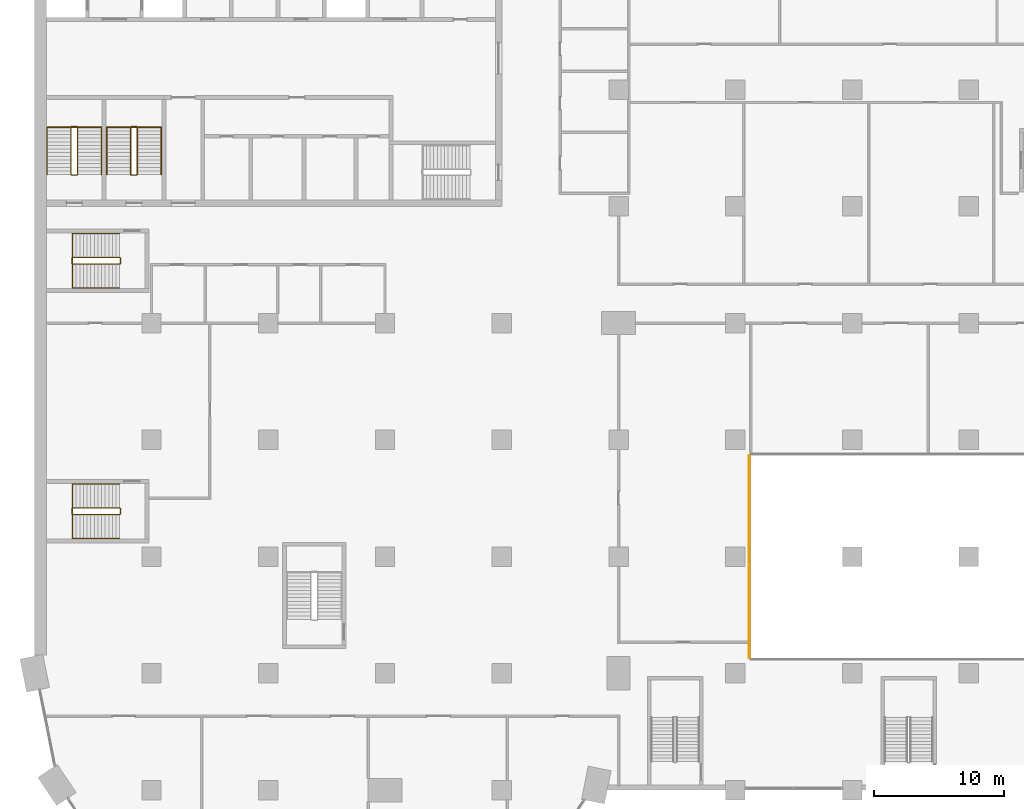
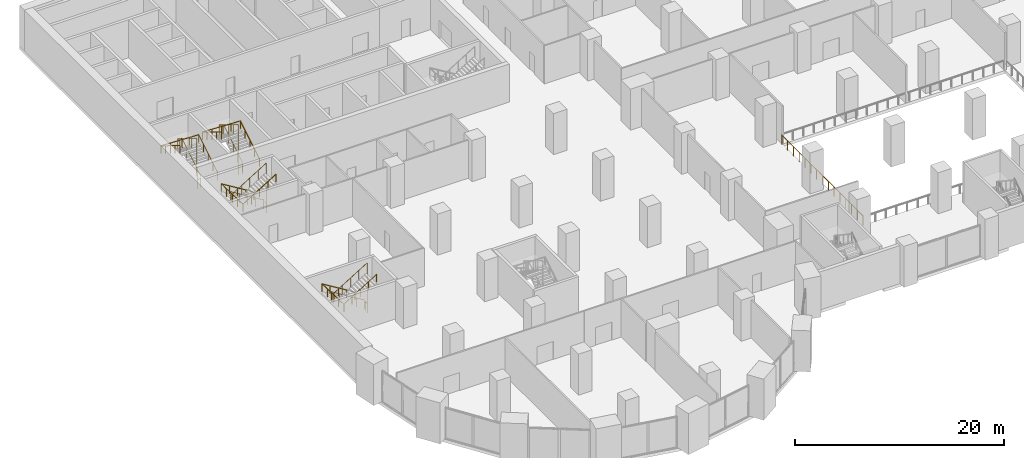
# One storey, part 44 of 49: 9 railings.
"""IFC4 building model written with IfcOpenShell, lengths in metres."""

from ifc_helpers import new_model, si_unit, direction, frame, origin, origin_2d, place, context, subcontext, project, spatial, circle, extrude, material, type_object, element, save


model = new_model("IFC4")

# Units and contexts
model_context = context("Model", 3, precision=1e-05, world=origin(), true_north=direction((0.0, 1.0)))
body_context = subcontext(model_context, "Body", "Model", "MODEL_VIEW")
ifc_project = project(units=[si_unit("LENGTHUNIT", "METRE"), si_unit("AREAUNIT", "SQUARE_METRE"), si_unit("VOLUMEUNIT", "CUBIC_METRE"), si_unit("PLANEANGLEUNIT", "RADIAN"), si_unit("MASSUNIT", "GRAM", prefix="KILO")], contexts=[model_context])

# Site, building, storey
site_placement = place(None, origin())
site = spatial("IfcSite", under=ifc_project, at=site_placement, CompositionType="ELEMENT")
building_placement = place(site_placement, origin())
building = spatial("IfcBuilding", under=site, at=building_placement, Name="Hunhe Ridgeline Campus", CompositionType="ELEMENT")
storey_placement = place(building_placement, frame((0.0, 0.0, 21.60009765625)))
storey = spatial("IfcBuildingStorey", under=building, at=storey_placement, Name="L04", CompositionType="ELEMENT", Elevation=21.60009765625)

# Railings
ifc_material_1 = material(Name="Glass and steel", Category="steel")
railing_type_1 = type_object("IfcRailingType", Name="Atrium glass guard 1100", PredefinedType="GUARDRAIL", material=ifc_material_1)
railing_1_placement = place(storey_placement, frame((55.080078125, 43.800048828125, 0.0)))
element("IfcRailing", 1, at=railing_1_placement, inside=storey, type_object=railing_type_1, Name="L04 atrium guard", PredefinedType="GUARDRAIL", context=body_context, shape_type="SweptSolid", body=[
    extrude(circle(Radius=0.02392578125, at=origin_2d()), frame((0.0, 0.0, 1.076171875), z_axis=(0.0, -1.0, 0.0), x_axis=(1.0, 0.0, 0.0)), (0.0, 0.0, 1.0), 15.60009765625),
    extrude(circle(Radius=0.02099609375, at=origin_2d()), origin(), (0.0, 0.0, 1.0), 1.052001953125),
    extrude(circle(Radius=0.02099609375, at=origin_2d()), frame((0.0, -1.1142578125, 0.0)), (0.0, 0.0, 1.0), 1.052001953125),
    extrude(circle(Radius=0.02099609375, at=origin_2d()), frame((0.0, -2.228515625, 0.0)), (0.0, 0.0, 1.0), 1.052001953125),
    extrude(circle(Radius=0.02099609375, at=origin_2d()), frame((0.0, -3.3427734375, 0.0)), (0.0, 0.0, 1.0), 1.052001953125),
    extrude(circle(Radius=0.02099609375, at=origin_2d()), frame((0.0, -4.457275390625, 0.0)), (0.0, 0.0, 1.0), 1.052001953125),
    extrude(circle(Radius=0.02099609375, at=origin_2d()), frame((0.0, -5.571533203125, 0.0)), (0.0, 0.0, 1.0), 1.052001953125),
    extrude(circle(Radius=0.02099609375, at=origin_2d()), frame((0.0, -6.685791015625, 0.0)), (0.0, 0.0, 1.0), 1.052001953125),
    extrude(circle(Radius=0.02099609375, at=origin_2d()), frame((0.0, -7.800048828125, 0.0)), (0.0, 0.0, 1.0), 1.052001953125),
    extrude(circle(Radius=0.02099609375, at=origin_2d()), frame((0.0, -8.914306640625, 0.0)), (0.0, 0.0, 1.0), 1.052001953125),
    extrude(circle(Radius=0.02099609375, at=origin_2d()), frame((0.0, -10.028564453125, 0.0)), (0.0, 0.0, 1.0), 1.052001953125),
    extrude(circle(Radius=0.02099609375, at=origin_2d()), frame((0.0, -11.142822265625, 0.0)), (0.0, 0.0, 1.0), 1.052001953125),
    extrude(circle(Radius=0.02099609375, at=origin_2d()), frame((0.0, -12.25732421875, 0.0)), (0.0, 0.0, 1.0), 1.052001953125),
    extrude(circle(Radius=0.02099609375, at=origin_2d()), frame((0.0, -13.37158203125, 0.0)), (0.0, 0.0, 1.0), 1.052001953125),
    extrude(circle(Radius=0.02099609375, at=origin_2d()), frame((0.0, -14.48583984375, 0.0)), (0.0, 0.0, 1.0), 1.052001953125),
    extrude(circle(Radius=0.02099609375, at=origin_2d()), frame((0.0, -15.60009765625, 0.0)), (0.0, 0.0, 1.0), 1.052001953125),
])
ifc_material_2 = material(Name="Stainless steel balustrade", Category="steel")
railing_type_2 = type_object("IfcRailingType", Name="Stair guard 1100 stainless", PredefinedType="GUARDRAIL", material=ifc_material_2)
railing_2_placement = place(storey_placement, frame((3.300048828125, 65.449951171875, 0.17138671875)))
element("IfcRailing", 2, at=railing_2_placement, inside=storey, type_object=railing_type_2, Name="L04 stair S3 guard", PredefinedType="GUARDRAIL", context=body_context, shape_type="SweptSolid", body=[
    extrude(circle(Radius=0.02392578125, at=origin_2d()), frame((0.0, 0.0, 1.076171875), z_axis=(0.0, 0.852865859571, 0.52213008492), x_axis=(-1.0, 0.0, 0.0)), (0.0, 0.0, 1.0), 4.26806640625),
    extrude(circle(Radius=0.02392578125, at=origin_2d()), frame((0.0, 3.64013671875, 3.3046875), z_axis=(-0.708833529934, 0.705375805398, 0.0), x_axis=(-0.705375805398, -0.708833529934, 0.0)), (0.0, 0.0, 1.0), 0.070556640625),
    extrude(circle(Radius=0.02392578125, at=origin_2d()), frame((-0.050048828125, 3.68994140625, 3.3046875), z_axis=(-1.0, 0.0, 0.0), x_axis=(0.0, -1.0, 0.0)), (0.0, 0.0, 1.0), 0.39990234375),
    extrude(circle(Radius=0.02392578125, at=origin_2d()), frame((-0.449951171875, 3.68994140625, 3.3046875), z_axis=(-0.270006937388, -0.268689830376, 0.924609122178), x_axis=(0.705375805398, -0.708833529934, 0.0)), (0.0, 0.0, 1.0), 0.185302734375),
    extrude(circle(Radius=0.02392578125, at=origin_2d()), frame((-0.5, 3.64013671875, 3.47607421875), z_axis=(0.0, -0.852865859571, 0.52213008492), x_axis=(1.0, 0.0, 0.0)), (0.0, 0.0, 1.0), 4.26806640625),
    extrude(circle(Radius=0.02392578125, at=origin_2d()), frame((-0.5, 0.0, 5.70458984375), z_axis=(0.01042612993, -0.01042612993, -0.999891289906), x_axis=(0.707106781187, 0.707106781187, 0.0)), (0.0, 0.0, 1.0), 4.80029296875),
    extrude(circle(Radius=0.02392578125, at=origin_2d()), frame((-0.449951171875, -0.050048828125, 0.90478515625), z_axis=(1.0, 0.0, 0.0), x_axis=(0.0, 1.0, 0.0)), (0.0, 0.0, 1.0), 0.39990234375),
    extrude(circle(Radius=0.02099609375, at=origin_2d()), origin(), (0.0, 0.0, 1.0), 1.052001953125),
    extrude(circle(Radius=0.02099609375, at=origin_2d()), frame((0.0, 0.91015625, 0.55712890625)), (0.0, 0.0, 1.0), 1.052001953125),
    extrude(circle(Radius=0.02099609375, at=origin_2d()), frame((0.0, 1.820068359375, 1.1142578125)), (0.0, 0.0, 1.0), 1.052001953125),
    extrude(circle(Radius=0.02099609375, at=origin_2d()), frame((0.0, 2.72998046875, 1.67138671875)), (0.0, 0.0, 1.0), 1.052001953125),
    extrude(circle(Radius=0.02099609375, at=origin_2d()), frame((0.0, 3.64013671875, 2.228515625)), (0.0, 0.0, 1.0), 1.052001953125),
    extrude(circle(Radius=0.02099609375, at=origin_2d()), frame((-0.050048828125, 3.68994140625, 2.228515625)), (0.0, 0.0, 1.0), 1.052001953125),
    extrude(circle(Radius=0.02099609375, at=origin_2d()), frame((-0.449951171875, 3.68994140625, 2.228515625)), (0.0, 0.0, 1.0), 1.052001953125),
    extrude(circle(Radius=0.02099609375, at=origin_2d()), frame((-0.5, 3.64013671875, 2.39990234375)), (0.0, 0.0, 1.0), 1.052001953125),
    extrude(circle(Radius=0.02099609375, at=origin_2d()), frame((-0.5, 2.72998046875, 2.95703125)), (0.0, 0.0, 1.0), 1.052001953125),
    extrude(circle(Radius=0.02099609375, at=origin_2d()), frame((-0.5, 1.820068359375, 3.51416015625)), (0.0, 0.0, 1.0), 1.052001953125),
    extrude(circle(Radius=0.02099609375, at=origin_2d()), frame((-0.5, 0.91015625, 4.0712890625)), (0.0, 0.0, 1.0), 1.052001953125),
    extrude(circle(Radius=0.02099609375, at=origin_2d()), frame((-0.5, 0.0, 4.62841796875)), (0.0, 0.0, 1.0), 1.052001953125),
    extrude(circle(Radius=0.02099609375, at=origin_2d()), frame((-0.489990234375, -0.010009765625, 3.66845703125)), (0.0, 0.0, 1.0), 1.052001953125),
    extrude(circle(Radius=0.02099609375, at=origin_2d()), frame((-0.47998046875, -0.02001953125, 2.70849609375)), (0.0, 0.0, 1.0), 1.052001953125),
    extrude(circle(Radius=0.02099609375, at=origin_2d()), frame((-0.469970703125, -0.030029296875, 1.74853515625)), (0.0, 0.0, 1.0), 1.052001953125),
    extrude(circle(Radius=0.02099609375, at=origin_2d()), frame((-0.4599609375, -0.0400390625, 0.78857421875)), (0.0, 0.0, 1.0), 1.052001953125),
    extrude(circle(Radius=0.02099609375, at=origin_2d()), frame((-0.449951171875, -0.050048828125, -0.17138671875)), (0.0, 0.0, 1.0), 1.052001953125),
    extrude(circle(Radius=0.02099609375, at=origin_2d()), frame((-0.050048828125, -0.050048828125, -0.17138671875)), (0.0, 0.0, 1.0), 1.052001953125),
])
railing_3_placement = place(storey_placement, frame((7.89990234375, 65.449951171875, 0.17138671875)))
element("IfcRailing", 3, at=railing_3_placement, inside=storey, type_object=railing_type_2, Name="L04 stair S4 guard", PredefinedType="GUARDRAIL", context=body_context, shape_type="SweptSolid", body=[
    extrude(circle(Radius=0.02392578125, at=origin_2d()), frame((0.0, 0.0, 1.076171875), z_axis=(0.0, 0.852865859571, 0.52213008492), x_axis=(-1.0, 0.0, 0.0)), (0.0, 0.0, 1.0), 4.26806640625),
    extrude(circle(Radius=0.02392578125, at=origin_2d()), frame((0.0, 3.64013671875, 3.3046875), z_axis=(-0.707106781187, 0.707106781187, 0.0), x_axis=(-0.707106781187, -0.707106781187, 0.0)), (0.0, 0.0, 1.0), 0.0703125),
    extrude(circle(Radius=0.02392578125, at=origin_2d()), frame((-0.0498046875, 3.68994140625, 3.3046875), z_axis=(-1.0, 0.0, 0.0), x_axis=(0.0, -1.0, 0.0)), (0.0, 0.0, 1.0), 0.400146484375),
    extrude(circle(Radius=0.02392578125, at=origin_2d()), frame((-0.449951171875, 3.68994140625, 3.3046875), z_axis=(-0.270006937388, -0.268689830376, 0.924609122178), x_axis=(0.705375805398, -0.708833529934, 0.0)), (0.0, 0.0, 1.0), 0.185302734375),
    extrude(circle(Radius=0.02392578125, at=origin_2d()), frame((-0.5, 3.64013671875, 3.47607421875), z_axis=(0.0, -0.852865859571, 0.52213008492), x_axis=(1.0, 0.0, 0.0)), (0.0, 0.0, 1.0), 4.26806640625),
    extrude(circle(Radius=0.02392578125, at=origin_2d()), frame((-0.5, 0.0, 5.70458984375), z_axis=(0.01042612993, -0.01042612993, -0.999891289906), x_axis=(0.707106781187, 0.707106781187, 0.0)), (0.0, 0.0, 1.0), 4.80029296875),
    extrude(circle(Radius=0.02392578125, at=origin_2d()), frame((-0.449951171875, -0.050048828125, 0.90478515625), z_axis=(1.0, 0.0, 0.0), x_axis=(0.0, 1.0, 0.0)), (0.0, 0.0, 1.0), 0.400146484375),
    extrude(circle(Radius=0.02099609375, at=origin_2d()), origin(), (0.0, 0.0, 1.0), 1.052001953125),
    extrude(circle(Radius=0.02099609375, at=origin_2d()), frame((0.0, 0.91015625, 0.55712890625)), (0.0, 0.0, 1.0), 1.052001953125),
    extrude(circle(Radius=0.02099609375, at=origin_2d()), frame((0.0, 1.820068359375, 1.1142578125)), (0.0, 0.0, 1.0), 1.052001953125),
    extrude(circle(Radius=0.02099609375, at=origin_2d()), frame((0.0, 2.72998046875, 1.67138671875)), (0.0, 0.0, 1.0), 1.052001953125),
    extrude(circle(Radius=0.02099609375, at=origin_2d()), frame((0.0, 3.64013671875, 2.228515625)), (0.0, 0.0, 1.0), 1.052001953125),
    extrude(circle(Radius=0.02099609375, at=origin_2d()), frame((-0.0498046875, 3.68994140625, 2.228515625)), (0.0, 0.0, 1.0), 1.052001953125),
    extrude(circle(Radius=0.02099609375, at=origin_2d()), frame((-0.449951171875, 3.68994140625, 2.228515625)), (0.0, 0.0, 1.0), 1.052001953125),
    extrude(circle(Radius=0.02099609375, at=origin_2d()), frame((-0.5, 3.64013671875, 2.39990234375)), (0.0, 0.0, 1.0), 1.052001953125),
    extrude(circle(Radius=0.02099609375, at=origin_2d()), frame((-0.5, 2.72998046875, 2.95703125)), (0.0, 0.0, 1.0), 1.052001953125),
    extrude(circle(Radius=0.02099609375, at=origin_2d()), frame((-0.5, 1.820068359375, 3.51416015625)), (0.0, 0.0, 1.0), 1.052001953125),
    extrude(circle(Radius=0.02099609375, at=origin_2d()), frame((-0.5, 0.91015625, 4.0712890625)), (0.0, 0.0, 1.0), 1.052001953125),
    extrude(circle(Radius=0.02099609375, at=origin_2d()), frame((-0.5, 0.0, 4.62841796875)), (0.0, 0.0, 1.0), 1.052001953125),
    extrude(circle(Radius=0.02099609375, at=origin_2d()), frame((-0.489990234375, -0.010009765625, 3.66845703125)), (0.0, 0.0, 1.0), 1.052001953125),
    extrude(circle(Radius=0.02099609375, at=origin_2d()), frame((-0.47998046875, -0.02001953125, 2.70849609375)), (0.0, 0.0, 1.0), 1.052001953125),
    extrude(circle(Radius=0.02099609375, at=origin_2d()), frame((-0.469970703125, -0.030029296875, 1.74853515625)), (0.0, 0.0, 1.0), 1.052001953125),
    extrude(circle(Radius=0.02099609375, at=origin_2d()), frame((-0.4599609375, -0.0400390625, 0.78857421875)), (0.0, 0.0, 1.0), 1.052001953125),
    extrude(circle(Radius=0.02099609375, at=origin_2d()), frame((-0.449951171875, -0.050048828125, -0.17138671875)), (0.0, 0.0, 1.0), 1.052001953125),
    extrude(circle(Radius=0.02099609375, at=origin_2d()), frame((-0.0498046875, -0.050048828125, -0.17138671875)), (0.0, 0.0, 1.0), 1.052001953125),
])
railing_4_placement = place(storey_placement, frame((6.550048828125, 39.75, 0.17138671875)))
element("IfcRailing", 4, at=railing_4_placement, inside=storey, type_object=railing_type_2, Name="L04 stair W1 guard", PredefinedType="GUARDRAIL", context=body_context, shape_type="SweptSolid", body=[
    extrude(circle(Radius=0.02392578125, at=origin_2d()), frame((0.0, 0.0, 1.076171875), z_axis=(-0.852865859571, 0.0, 0.52213008492), x_axis=(0.0, -1.0, 0.0)), (0.0, 0.0, 1.0), 4.26806640625),
    extrude(circle(Radius=0.02392578125, at=origin_2d()), frame((-3.64013671875, 0.0, 3.3046875), z_axis=(-0.705375805398, -0.708833529934, 0.0), x_axis=(0.708833529934, -0.705375805398, 0.0)), (0.0, 0.0, 1.0), 0.070556640625),
    extrude(circle(Radius=0.02392578125, at=origin_2d()), frame((-3.68994140625, -0.050048828125, 3.3046875), z_axis=(0.0, -1.0, 0.0), x_axis=(1.0, 0.0, 0.0)), (0.0, 0.0, 1.0), 0.39990234375),
    extrude(circle(Radius=0.02392578125, at=origin_2d()), frame((-3.68994140625, -0.449951171875, 3.3046875), z_axis=(0.268689830376, -0.270006937388, 0.924609122178), x_axis=(0.708833529934, 0.705375805398, 0.0)), (0.0, 0.0, 1.0), 0.185302734375),
    extrude(circle(Radius=0.02392578125, at=origin_2d()), frame((-3.64013671875, -0.5, 3.47607421875), z_axis=(0.852865859571, 0.0, 0.52213008492), x_axis=(0.0, 1.0, 0.0)), (0.0, 0.0, 1.0), 4.26806640625),
    extrude(circle(Radius=0.02392578125, at=origin_2d()), frame((0.0, -0.5, 5.70458984375), z_axis=(0.01042612993, 0.01042612993, -0.999891289906), x_axis=(-0.707106781187, 0.707106781187, 0.0)), (0.0, 0.0, 1.0), 4.80029296875),
    extrude(circle(Radius=0.02392578125, at=origin_2d()), frame((0.050048828125, -0.449951171875, 0.90478515625), z_axis=(0.0, 1.0, 0.0), x_axis=(-1.0, 0.0, 0.0)), (0.0, 0.0, 1.0), 0.39990234375),
    extrude(circle(Radius=0.02099609375, at=origin_2d()), origin(), (0.0, 0.0, 1.0), 1.052001953125),
    extrude(circle(Radius=0.02099609375, at=origin_2d()), frame((-0.91015625, 0.0, 0.55712890625)), (0.0, 0.0, 1.0), 1.052001953125),
    extrude(circle(Radius=0.02099609375, at=origin_2d()), frame((-1.820068359375, 0.0, 1.1142578125)), (0.0, 0.0, 1.0), 1.052001953125),
    extrude(circle(Radius=0.02099609375, at=origin_2d()), frame((-2.72998046875, 0.0, 1.67138671875)), (0.0, 0.0, 1.0), 1.052001953125),
    extrude(circle(Radius=0.02099609375, at=origin_2d()), frame((-3.64013671875, 0.0, 2.228515625)), (0.0, 0.0, 1.0), 1.052001953125),
    extrude(circle(Radius=0.02099609375, at=origin_2d()), frame((-3.68994140625, -0.050048828125, 2.228515625)), (0.0, 0.0, 1.0), 1.052001953125),
    extrude(circle(Radius=0.02099609375, at=origin_2d()), frame((-3.68994140625, -0.449951171875, 2.228515625)), (0.0, 0.0, 1.0), 1.052001953125),
    extrude(circle(Radius=0.02099609375, at=origin_2d()), frame((-3.64013671875, -0.5, 2.39990234375)), (0.0, 0.0, 1.0), 1.052001953125),
    extrude(circle(Radius=0.02099609375, at=origin_2d()), frame((-2.72998046875, -0.5, 2.95703125)), (0.0, 0.0, 1.0), 1.052001953125),
    extrude(circle(Radius=0.02099609375, at=origin_2d()), frame((-1.820068359375, -0.5, 3.51416015625)), (0.0, 0.0, 1.0), 1.052001953125),
    extrude(circle(Radius=0.02099609375, at=origin_2d()), frame((-0.91015625, -0.5, 4.0712890625)), (0.0, 0.0, 1.0), 1.052001953125),
    extrude(circle(Radius=0.02099609375, at=origin_2d()), frame((0.0, -0.5, 4.62841796875)), (0.0, 0.0, 1.0), 1.052001953125),
    extrude(circle(Radius=0.02099609375, at=origin_2d()), frame((0.010009765625, -0.489990234375, 3.66845703125)), (0.0, 0.0, 1.0), 1.052001953125),
    extrude(circle(Radius=0.02099609375, at=origin_2d()), frame((0.02001953125, -0.47998046875, 2.70849609375)), (0.0, 0.0, 1.0), 1.052001953125),
    extrude(circle(Radius=0.02099609375, at=origin_2d()), frame((0.030029296875, -0.469970703125, 1.74853515625)), (0.0, 0.0, 1.0), 1.052001953125),
    extrude(circle(Radius=0.02099609375, at=origin_2d()), frame((0.0400390625, -0.4599609375, 0.78857421875)), (0.0, 0.0, 1.0), 1.052001953125),
    extrude(circle(Radius=0.02099609375, at=origin_2d()), frame((0.050048828125, -0.449951171875, -0.17138671875)), (0.0, 0.0, 1.0), 1.052001953125),
    extrude(circle(Radius=0.02099609375, at=origin_2d()), frame((0.050048828125, -0.050048828125, -0.17138671875)), (0.0, 0.0, 1.0), 1.052001953125),
])
railing_5_placement = place(storey_placement, frame((6.550048828125, 59.050048828125, 0.17138671875)))
element("IfcRailing", 5, at=railing_5_placement, inside=storey, type_object=railing_type_2, Name="L04 stair W2 guard", PredefinedType="GUARDRAIL", context=body_context, shape_type="SweptSolid", body=[
    extrude(circle(Radius=0.02392578125, at=origin_2d()), frame((0.0, 0.0, 1.076171875), z_axis=(-0.852865859571, 0.0, 0.52213008492), x_axis=(0.0, -1.0, 0.0)), (0.0, 0.0, 1.0), 4.26806640625),
    extrude(circle(Radius=0.02392578125, at=origin_2d()), frame((-3.64013671875, 0.0, 3.3046875), z_axis=(-0.705375805398, -0.708833529934, 0.0), x_axis=(0.708833529934, -0.705375805398, 0.0)), (0.0, 0.0, 1.0), 0.070556640625),
    extrude(circle(Radius=0.02392578125, at=origin_2d()), frame((-3.68994140625, -0.050048828125, 3.3046875), z_axis=(0.0, -1.0, 0.0), x_axis=(1.0, 0.0, 0.0)), (0.0, 0.0, 1.0), 0.39990234375),
    extrude(circle(Radius=0.02392578125, at=origin_2d()), frame((-3.68994140625, -0.449951171875, 3.3046875), z_axis=(0.268689830376, -0.270006937388, 0.924609122178), x_axis=(0.708833529934, 0.705375805398, 0.0)), (0.0, 0.0, 1.0), 0.185302734375),
    extrude(circle(Radius=0.02392578125, at=origin_2d()), frame((-3.64013671875, -0.5, 3.47607421875), z_axis=(0.852865859571, 0.0, 0.52213008492), x_axis=(0.0, 1.0, 0.0)), (0.0, 0.0, 1.0), 4.26806640625),
    extrude(circle(Radius=0.02392578125, at=origin_2d()), frame((0.0, -0.5, 5.70458984375), z_axis=(0.01042612993, 0.01042612993, -0.999891289906), x_axis=(-0.707106781187, 0.707106781187, 0.0)), (0.0, 0.0, 1.0), 4.80029296875),
    extrude(circle(Radius=0.02392578125, at=origin_2d()), frame((0.050048828125, -0.449951171875, 0.90478515625), z_axis=(0.0, 1.0, 0.0), x_axis=(-1.0, 0.0, 0.0)), (0.0, 0.0, 1.0), 0.39990234375),
    extrude(circle(Radius=0.02099609375, at=origin_2d()), origin(), (0.0, 0.0, 1.0), 1.052001953125),
    extrude(circle(Radius=0.02099609375, at=origin_2d()), frame((-0.91015625, 0.0, 0.55712890625)), (0.0, 0.0, 1.0), 1.052001953125),
    extrude(circle(Radius=0.02099609375, at=origin_2d()), frame((-1.820068359375, 0.0, 1.1142578125)), (0.0, 0.0, 1.0), 1.052001953125),
    extrude(circle(Radius=0.02099609375, at=origin_2d()), frame((-2.72998046875, 0.0, 1.67138671875)), (0.0, 0.0, 1.0), 1.052001953125),
    extrude(circle(Radius=0.02099609375, at=origin_2d()), frame((-3.64013671875, 0.0, 2.228515625)), (0.0, 0.0, 1.0), 1.052001953125),
    extrude(circle(Radius=0.02099609375, at=origin_2d()), frame((-3.68994140625, -0.050048828125, 2.228515625)), (0.0, 0.0, 1.0), 1.052001953125),
    extrude(circle(Radius=0.02099609375, at=origin_2d()), frame((-3.68994140625, -0.449951171875, 2.228515625)), (0.0, 0.0, 1.0), 1.052001953125),
    extrude(circle(Radius=0.02099609375, at=origin_2d()), frame((-3.64013671875, -0.5, 2.39990234375)), (0.0, 0.0, 1.0), 1.052001953125),
    extrude(circle(Radius=0.02099609375, at=origin_2d()), frame((-2.72998046875, -0.5, 2.95703125)), (0.0, 0.0, 1.0), 1.052001953125),
    extrude(circle(Radius=0.02099609375, at=origin_2d()), frame((-1.820068359375, -0.5, 3.51416015625)), (0.0, 0.0, 1.0), 1.052001953125),
    extrude(circle(Radius=0.02099609375, at=origin_2d()), frame((-0.91015625, -0.5, 4.0712890625)), (0.0, 0.0, 1.0), 1.052001953125),
    extrude(circle(Radius=0.02099609375, at=origin_2d()), frame((0.0, -0.5, 4.62841796875)), (0.0, 0.0, 1.0), 1.052001953125),
    extrude(circle(Radius=0.02099609375, at=origin_2d()), frame((0.010009765625, -0.489990234375, 3.66845703125)), (0.0, 0.0, 1.0), 1.052001953125),
    extrude(circle(Radius=0.02099609375, at=origin_2d()), frame((0.02001953125, -0.47998046875, 2.70849609375)), (0.0, 0.0, 1.0), 1.052001953125),
    extrude(circle(Radius=0.02099609375, at=origin_2d()), frame((0.030029296875, -0.469970703125, 1.74853515625)), (0.0, 0.0, 1.0), 1.052001953125),
    extrude(circle(Radius=0.02099609375, at=origin_2d()), frame((0.0400390625, -0.4599609375, 0.78857421875)), (0.0, 0.0, 1.0), 1.052001953125),
    extrude(circle(Radius=0.02099609375, at=origin_2d()), frame((0.050048828125, -0.449951171875, -0.17138671875)), (0.0, 0.0, 1.0), 1.052001953125),
    extrude(circle(Radius=0.02099609375, at=origin_2d()), frame((0.050048828125, -0.050048828125, -0.17138671875)), (0.0, 0.0, 1.0), 1.052001953125),
])
ifc_material_3 = material(Name="Stainless steel handrail", Category="steel")
railing_type_3 = type_object("IfcRailingType", Name="Stair handrail 900 stainless", PredefinedType="HANDRAIL", material=ifc_material_3)
railing_6_placement = place(storey_placement, frame((5.14990234375, 65.449951171875, 0.17138671875)))
element("IfcRailing", 6, at=railing_6_placement, inside=storey, type_object=railing_type_3, Name="L04 stair S3 handrail", PredefinedType="HANDRAIL", context=body_context, shape_type="SweptSolid", body=[
    extrude(circle(Radius=0.02392578125, at=origin_2d()), frame((0.0, 0.0, 0.8759765625), z_axis=(0.0, 0.852865859571, 0.52213008492), x_axis=(-1.0, 0.0, 0.0)), (0.0, 0.0, 1.0), 4.26806640625),
    extrude(circle(Radius=0.02392578125, at=origin_2d()), frame((0.0, 3.64013671875, 3.1044921875), z_axis=(-0.999168439458, 0.0, 0.040772902662), x_axis=(0.0, -1.0, 0.0)), (0.0, 0.0, 1.0), 4.203369140625),
    extrude(circle(Radius=0.02392578125, at=origin_2d()), frame((-4.199951171875, 3.64013671875, 3.27587890625), z_axis=(0.0, -0.852865859571, 0.52213008492), x_axis=(1.0, 0.0, 0.0)), (0.0, 0.0, 1.0), 4.26806640625),
    extrude(circle(Radius=0.02099609375, at=origin_2d()), origin(), (0.0, 0.0, 1.0), 0.851806640625),
    extrude(circle(Radius=0.02099609375, at=origin_2d()), frame((0.0, 0.91015625, 0.55712890625)), (0.0, 0.0, 1.0), 0.851806640625),
    extrude(circle(Radius=0.02099609375, at=origin_2d()), frame((0.0, 1.820068359375, 1.1142578125)), (0.0, 0.0, 1.0), 0.851806640625),
    extrude(circle(Radius=0.02099609375, at=origin_2d()), frame((0.0, 2.72998046875, 1.67138671875)), (0.0, 0.0, 1.0), 0.851806640625),
    extrude(circle(Radius=0.02099609375, at=origin_2d()), frame((0.0, 3.64013671875, 2.228515625)), (0.0, 0.0, 1.0), 0.851806640625),
    extrude(circle(Radius=0.02099609375, at=origin_2d()), frame((-1.050048828125, 3.64013671875, 2.271484375)), (0.0, 0.0, 1.0), 0.851806640625),
    extrude(circle(Radius=0.02099609375, at=origin_2d()), frame((-2.10009765625, 3.64013671875, 2.314208984375)), (0.0, 0.0, 1.0), 0.851806640625),
    extrude(circle(Radius=0.02099609375, at=origin_2d()), frame((-3.14990234375, 3.64013671875, 2.35693359375)), (0.0, 0.0, 1.0), 0.851806640625),
    extrude(circle(Radius=0.02099609375, at=origin_2d()), frame((-4.199951171875, 3.64013671875, 2.39990234375)), (0.0, 0.0, 1.0), 0.851806640625),
    extrude(circle(Radius=0.02099609375, at=origin_2d()), frame((-4.199951171875, 2.72998046875, 2.95703125)), (0.0, 0.0, 1.0), 0.851806640625),
    extrude(circle(Radius=0.02099609375, at=origin_2d()), frame((-4.199951171875, 1.820068359375, 3.51416015625)), (0.0, 0.0, 1.0), 0.851806640625),
    extrude(circle(Radius=0.02099609375, at=origin_2d()), frame((-4.199951171875, 0.91015625, 4.0712890625)), (0.0, 0.0, 1.0), 0.851806640625),
    extrude(circle(Radius=0.02099609375, at=origin_2d()), frame((-4.199951171875, 0.0, 4.62841796875)), (0.0, 0.0, 1.0), 0.851806640625),
])
railing_7_placement = place(storey_placement, frame((9.75, 65.449951171875, 0.17138671875)))
element("IfcRailing", 7, at=railing_7_placement, inside=storey, type_object=railing_type_3, Name="L04 stair S4 handrail", PredefinedType="HANDRAIL", context=body_context, shape_type="SweptSolid", body=[
    extrude(circle(Radius=0.02392578125, at=origin_2d()), frame((0.0, 0.0, 0.8759765625), z_axis=(0.0, 0.852865859571, 0.52213008492), x_axis=(-1.0, 0.0, 0.0)), (0.0, 0.0, 1.0), 4.26806640625),
    extrude(circle(Radius=0.02392578125, at=origin_2d()), frame((0.0, 3.64013671875, 3.1044921875), z_axis=(-0.999168439458, 0.0, 0.040772902662), x_axis=(0.0, -1.0, 0.0)), (0.0, 0.0, 1.0), 4.203369140625),
    extrude(circle(Radius=0.02392578125, at=origin_2d()), frame((-4.199951171875, 3.64013671875, 3.27587890625), z_axis=(0.0, -0.852865859571, 0.52213008492), x_axis=(1.0, 0.0, 0.0)), (0.0, 0.0, 1.0), 4.26806640625),
    extrude(circle(Radius=0.02099609375, at=origin_2d()), origin(), (0.0, 0.0, 1.0), 0.851806640625),
    extrude(circle(Radius=0.02099609375, at=origin_2d()), frame((0.0, 0.91015625, 0.55712890625)), (0.0, 0.0, 1.0), 0.851806640625),
    extrude(circle(Radius=0.02099609375, at=origin_2d()), frame((0.0, 1.820068359375, 1.1142578125)), (0.0, 0.0, 1.0), 0.851806640625),
    extrude(circle(Radius=0.02099609375, at=origin_2d()), frame((0.0, 2.72998046875, 1.67138671875)), (0.0, 0.0, 1.0), 0.851806640625),
    extrude(circle(Radius=0.02099609375, at=origin_2d()), frame((0.0, 3.64013671875, 2.228515625)), (0.0, 0.0, 1.0), 0.851806640625),
    extrude(circle(Radius=0.02099609375, at=origin_2d()), frame((-1.050048828125, 3.64013671875, 2.271484375)), (0.0, 0.0, 1.0), 0.851806640625),
    extrude(circle(Radius=0.02099609375, at=origin_2d()), frame((-2.10009765625, 3.64013671875, 2.314208984375)), (0.0, 0.0, 1.0), 0.851806640625),
    extrude(circle(Radius=0.02099609375, at=origin_2d()), frame((-3.14990234375, 3.64013671875, 2.35693359375)), (0.0, 0.0, 1.0), 0.851806640625),
    extrude(circle(Radius=0.02099609375, at=origin_2d()), frame((-4.199951171875, 3.64013671875, 2.39990234375)), (0.0, 0.0, 1.0), 0.851806640625),
    extrude(circle(Radius=0.02099609375, at=origin_2d()), frame((-4.199951171875, 2.72998046875, 2.95703125)), (0.0, 0.0, 1.0), 0.851806640625),
    extrude(circle(Radius=0.02099609375, at=origin_2d()), frame((-4.199951171875, 1.820068359375, 3.51416015625)), (0.0, 0.0, 1.0), 0.851806640625),
    extrude(circle(Radius=0.02099609375, at=origin_2d()), frame((-4.199951171875, 0.91015625, 4.0712890625)), (0.0, 0.0, 1.0), 0.851806640625),
    extrude(circle(Radius=0.02099609375, at=origin_2d()), frame((-4.199951171875, 0.0, 4.62841796875)), (0.0, 0.0, 1.0), 0.851806640625),
])
railing_8_placement = place(storey_placement, frame((6.550048828125, 41.60009765625, 0.17138671875)))
element("IfcRailing", 8, at=railing_8_placement, inside=storey, type_object=railing_type_3, Name="L04 stair W1 handrail", PredefinedType="HANDRAIL", context=body_context, shape_type="SweptSolid", body=[
    extrude(circle(Radius=0.02392578125, at=origin_2d()), frame((0.0, 0.0, 0.8759765625), z_axis=(-0.852865859571, 0.0, 0.52213008492), x_axis=(0.0, -1.0, 0.0)), (0.0, 0.0, 1.0), 4.26806640625),
    extrude(circle(Radius=0.02392578125, at=origin_2d()), frame((-3.64013671875, 0.0, 3.1044921875), z_axis=(0.0, -0.999168536005, 0.040770536635), x_axis=(1.0, 0.0, 0.0)), (0.0, 0.0, 1.0), 4.20361328125),
    extrude(circle(Radius=0.02392578125, at=origin_2d()), frame((-3.64013671875, -4.2001953125, 3.27587890625), z_axis=(0.852865859571, 0.0, 0.52213008492), x_axis=(0.0, 1.0, 0.0)), (0.0, 0.0, 1.0), 4.26806640625),
    extrude(circle(Radius=0.02099609375, at=origin_2d()), origin(), (0.0, 0.0, 1.0), 0.851806640625),
    extrude(circle(Radius=0.02099609375, at=origin_2d()), frame((-0.91015625, 0.0, 0.55712890625)), (0.0, 0.0, 1.0), 0.851806640625),
    extrude(circle(Radius=0.02099609375, at=origin_2d()), frame((-1.820068359375, 0.0, 1.1142578125)), (0.0, 0.0, 1.0), 0.851806640625),
    extrude(circle(Radius=0.02099609375, at=origin_2d()), frame((-2.72998046875, 0.0, 1.67138671875)), (0.0, 0.0, 1.0), 0.851806640625),
    extrude(circle(Radius=0.02099609375, at=origin_2d()), frame((-3.64013671875, 0.0, 2.228515625)), (0.0, 0.0, 1.0), 0.851806640625),
    extrude(circle(Radius=0.02099609375, at=origin_2d()), frame((-3.64013671875, -1.050048828125, 2.271484375)), (0.0, 0.0, 1.0), 0.851806640625),
    extrude(circle(Radius=0.02099609375, at=origin_2d()), frame((-3.64013671875, -2.10009765625, 2.314208984375)), (0.0, 0.0, 1.0), 0.851806640625),
    extrude(circle(Radius=0.02099609375, at=origin_2d()), frame((-3.64013671875, -3.150146484375, 2.35693359375)), (0.0, 0.0, 1.0), 0.851806640625),
    extrude(circle(Radius=0.02099609375, at=origin_2d()), frame((-3.64013671875, -4.2001953125, 2.39990234375)), (0.0, 0.0, 1.0), 0.851806640625),
    extrude(circle(Radius=0.02099609375, at=origin_2d()), frame((-2.72998046875, -4.2001953125, 2.95703125)), (0.0, 0.0, 1.0), 0.851806640625),
    extrude(circle(Radius=0.02099609375, at=origin_2d()), frame((-1.820068359375, -4.2001953125, 3.51416015625)), (0.0, 0.0, 1.0), 0.851806640625),
    extrude(circle(Radius=0.02099609375, at=origin_2d()), frame((-0.91015625, -4.2001953125, 4.0712890625)), (0.0, 0.0, 1.0), 0.851806640625),
    extrude(circle(Radius=0.02099609375, at=origin_2d()), frame((0.0, -4.2001953125, 4.62841796875)), (0.0, 0.0, 1.0), 0.851806640625),
])
railing_9_placement = place(storey_placement, frame((6.550048828125, 60.89990234375, 0.17138671875)))
element("IfcRailing", 9, at=railing_9_placement, inside=storey, type_object=railing_type_3, Name="L04 stair W2 handrail", PredefinedType="HANDRAIL", context=body_context, shape_type="SweptSolid", body=[
    extrude(circle(Radius=0.02392578125, at=origin_2d()), frame((0.0, 0.0, 0.8759765625), z_axis=(-0.852865859571, 0.0, 0.52213008492), x_axis=(0.0, -1.0, 0.0)), (0.0, 0.0, 1.0), 4.26806640625),
    extrude(circle(Radius=0.02392578125, at=origin_2d()), frame((-3.64013671875, 0.0, 3.1044921875), z_axis=(0.0, -0.999168439458, 0.040772902662), x_axis=(1.0, 0.0, 0.0)), (0.0, 0.0, 1.0), 4.203369140625),
    extrude(circle(Radius=0.02392578125, at=origin_2d()), frame((-3.64013671875, -4.199951171875, 3.27587890625), z_axis=(0.852865859571, 0.0, 0.52213008492), x_axis=(0.0, 1.0, 0.0)), (0.0, 0.0, 1.0), 4.26806640625),
    extrude(circle(Radius=0.02099609375, at=origin_2d()), origin(), (0.0, 0.0, 1.0), 0.851806640625),
    extrude(circle(Radius=0.02099609375, at=origin_2d()), frame((-0.91015625, 0.0, 0.55712890625)), (0.0, 0.0, 1.0), 0.851806640625),
    extrude(circle(Radius=0.02099609375, at=origin_2d()), frame((-1.820068359375, 0.0, 1.1142578125)), (0.0, 0.0, 1.0), 0.851806640625),
    extrude(circle(Radius=0.02099609375, at=origin_2d()), frame((-2.72998046875, 0.0, 1.67138671875)), (0.0, 0.0, 1.0), 0.851806640625),
    extrude(circle(Radius=0.02099609375, at=origin_2d()), frame((-3.64013671875, 0.0, 2.228515625)), (0.0, 0.0, 1.0), 0.851806640625),
    extrude(circle(Radius=0.02099609375, at=origin_2d()), frame((-3.64013671875, -1.050048828125, 2.271484375)), (0.0, 0.0, 1.0), 0.851806640625),
    extrude(circle(Radius=0.02099609375, at=origin_2d()), frame((-3.64013671875, -2.10009765625, 2.314208984375)), (0.0, 0.0, 1.0), 0.851806640625),
    extrude(circle(Radius=0.02099609375, at=origin_2d()), frame((-3.64013671875, -3.14990234375, 2.35693359375)), (0.0, 0.0, 1.0), 0.851806640625),
    extrude(circle(Radius=0.02099609375, at=origin_2d()), frame((-3.64013671875, -4.199951171875, 2.39990234375)), (0.0, 0.0, 1.0), 0.851806640625),
    extrude(circle(Radius=0.02099609375, at=origin_2d()), frame((-2.72998046875, -4.199951171875, 2.95703125)), (0.0, 0.0, 1.0), 0.851806640625),
    extrude(circle(Radius=0.02099609375, at=origin_2d()), frame((-1.820068359375, -4.199951171875, 3.51416015625)), (0.0, 0.0, 1.0), 0.851806640625),
    extrude(circle(Radius=0.02099609375, at=origin_2d()), frame((-0.91015625, -4.199951171875, 4.0712890625)), (0.0, 0.0, 1.0), 0.851806640625),
    extrude(circle(Radius=0.02099609375, at=origin_2d()), frame((0.0, -4.199951171875, 4.62841796875)), (0.0, 0.0, 1.0), 0.851806640625),
])

save(model, "model.ifc")
